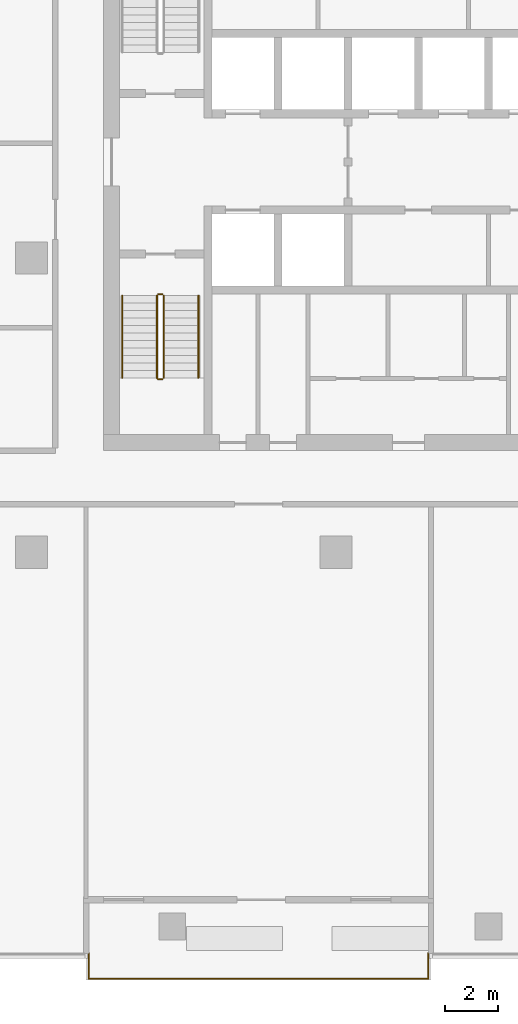
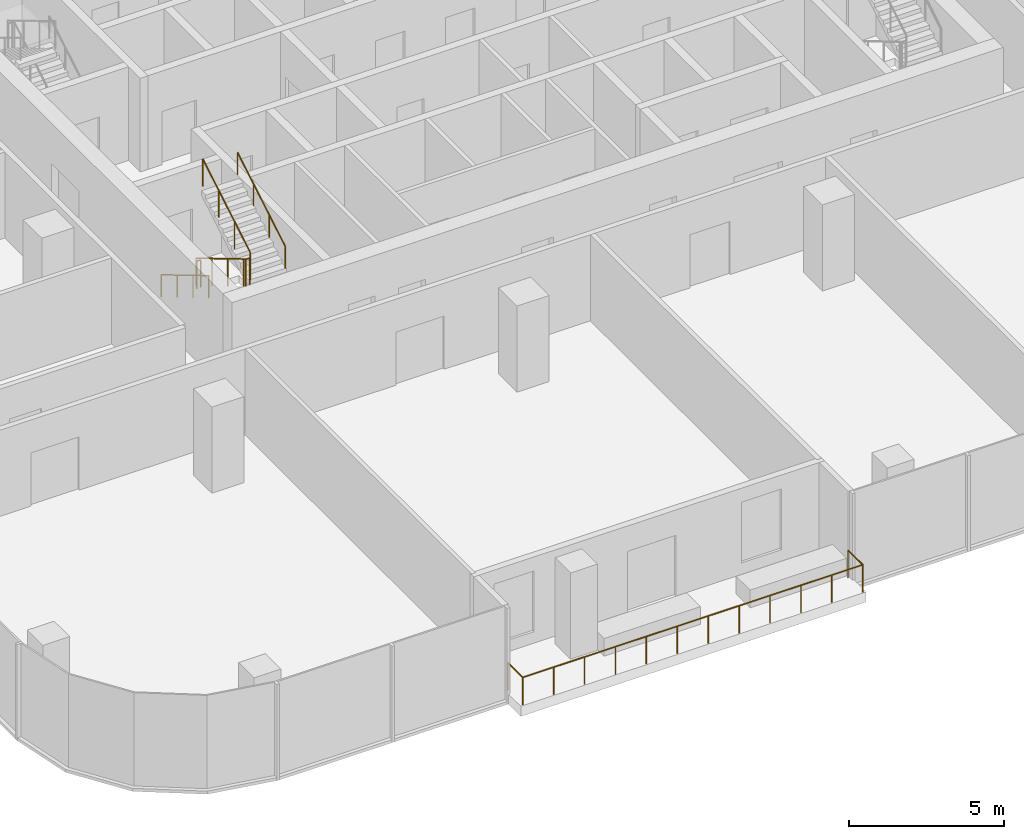
# One storey, part 11 of 13: 6 railings.
"""IFC4 building model written with IfcOpenShell, lengths in metres."""

import ifcopenshell
import ifcopenshell.guid

model = None  # the IFC model being written
_history = None  # IfcOwnerHistory: only IFC2X3 demands one
_inside = {}  # id of a spatial element -> (the spatial element, [elements in it])
_under = {}  # id of a project, library or spatial element -> (it, [spatial elements below it])
_declared = {}  # id of a project -> (the project, [libraries it declares])
_typed = {}  # id of a type object -> (the type object, [elements of that type])
_made_of = {}  # id of a material, layer set ... -> (it, [elements and type objects made of it])


def new_model(schema):
    """Start an empty IFC model of exactly this schema.

    Asked for "IFC4X3", IfcOpenShell would pick the latest addendum, in which some entities
    have other attributes; the version numbers below select the first issue.
    IFC2X3 requires an IfcOwnerHistory on every rooted entity: one is made here for all.
    """
    global model, _history
    if schema == "IFC4X3":
        model = ifcopenshell.file(schema_version=(4, 3, 0, 0))
    else:
        model = ifcopenshell.file(schema=schema)
    _inside.clear()
    _under.clear()
    _declared.clear()
    _typed.clear()
    _made_of.clear()
    _history = None
    if model.schema == "IFC2X3":
        org = make("IfcOrganization", Name="unknown")
        user = make(
            "IfcPersonAndOrganization",
            ThePerson=make("IfcPerson", FamilyName="unknown"),
            TheOrganization=org,
        )
        app = make(
            "IfcApplication",
            ApplicationDeveloper=org,
            Version="unknown",
            ApplicationFullName="unknown",
            ApplicationIdentifier="unknown",
        )
        _history = make(
            "IfcOwnerHistory",
            OwningUser=user,
            OwningApplication=app,
            ChangeAction="ADDED",
            CreationDate=0,
        )
    return model


def make(cls, **values):
    """One entity of the class cls with the attributes given. An attribute that is None is left unset."""
    return model.create_entity(
        cls, **{name: value for name, value in values.items() if value is not None}
    )


def rooted(cls, **values):
    """An entity with a GlobalId (a new one), such as an element, a storey or a relation."""
    return make(cls, GlobalId=ifcopenshell.guid.new(), OwnerHistory=_history, **values)


def si_unit(unit_type, name, prefix=None):
    """IfcSIUnit, for example si_unit("LENGTHUNIT", "METRE", prefix="MILLI")."""
    return make("IfcSIUnit", UnitType=unit_type, Prefix=prefix, Name=name)


def assignment(units):
    """IfcUnitAssignment: the units of a project."""
    return None if units is None else make("IfcUnitAssignment", Units=units)


def point(xyz):
    """IfcCartesianPoint."""
    return None if xyz is None else make("IfcCartesianPoint", Coordinates=xyz)


def direction(xyz):
    """IfcDirection."""
    return None if xyz is None else make("IfcDirection", DirectionRatios=xyz)


def frame(location, z_axis=None, x_axis=None):
    """IfcAxis2Placement3D, a coordinate frame: its origin and axes. An axis left out is left unset."""
    return make(
        "IfcAxis2Placement3D",
        Location=point(location),
        Axis=direction(z_axis),
        RefDirection=direction(x_axis),
    )


def frame_2d(location, x_axis=None):
    """IfcAxis2Placement2D, a coordinate frame in the plane: its origin and x axis."""
    return make(
        "IfcAxis2Placement2D", Location=point(location), RefDirection=direction(x_axis)
    )


def origin():
    """The frame at (0, 0, 0) with its axes left unset."""
    return frame((0.0, 0.0, 0.0))


def origin_2d():
    """The frame at (0, 0) in the plane with its x axis left unset."""
    return frame_2d((0.0, 0.0))


def place(relative_to, where):
    """IfcLocalPlacement: puts the frame where relative to a parent placement (None: the world)."""
    return make(
        "IfcLocalPlacement", PlacementRelTo=relative_to, RelativePlacement=where
    )


def context(
    kind, dimensions, precision=None, world=None, true_north=None, identifier=None
):
    """IfcGeometricRepresentationContext, for example the 3D "Model" context."""
    return make(
        "IfcGeometricRepresentationContext",
        ContextIdentifier=identifier,
        ContextType=kind,
        CoordinateSpaceDimension=dimensions,
        Precision=precision,
        WorldCoordinateSystem=world,
        TrueNorth=true_north,
    )


def subcontext(parent, identifier, kind, view, scale=None):
    """IfcGeometricRepresentationSubContext, for example "Body" below "Model"."""
    return make(
        "IfcGeometricRepresentationSubContext",
        ContextIdentifier=identifier,
        ContextType=kind,
        ParentContext=parent,
        TargetScale=scale,
        TargetView=view,
    )


def project(units=None, contexts=None):
    """IfcProject with its units and contexts."""
    return rooted(
        "IfcProject",
        Name="project",
        RepresentationContexts=contexts,
        UnitsInContext=assignment(units),
    )


def spatial(cls, under=None, at=None, **own):
    """A site, building, storey or space (cls), placed at a placement, below another one or the project."""
    s = rooted(cls, ObjectPlacement=at, **own)
    if under is not None:
        _under.setdefault(under.id(), (under, []))[1].append(s)
    return s


def profile(cls, at=None, kind="AREA", **sizes):
    """A parametric profile (cls). Its sizes go by their IFC names, for example OverallWidth=200.0."""
    return make(cls, ProfileType=kind, Position=at, **sizes)


def circle(**sizes):
    """IfcCircleProfileDef."""
    return profile("IfcCircleProfileDef", **sizes)


def extrude(swept, where, along, depth):
    """IfcExtrudedAreaSolid: the profile swept, set in the frame where, extruded along a direction by depth."""
    return make(
        "IfcExtrudedAreaSolid",
        SweptArea=swept,
        Position=where,
        ExtrudedDirection=direction(along),
        Depth=depth,
    )


def shape(context_of_items, identifier, shape_type, items):
    """IfcShapeRepresentation: the items that make up one representation, for example the "Body"."""
    return make(
        "IfcShapeRepresentation",
        ContextOfItems=context_of_items,
        RepresentationIdentifier=identifier,
        RepresentationType=shape_type,
        Items=items,
    )


def material(Name=None, Category=None):
    """IfcMaterial."""
    return make("IfcMaterial", Name=Name, Category=Category)


def made_of(thing, what):
    """Note that an element or type object is made of a material, layer set ...; save() writes the relation."""
    if what is not None:
        _made_of.setdefault(what.id(), (what, []))[1].append(thing)
    return thing


def type_object(cls, material=None, **own):
    """A type object (cls), such as IfcWallType, which elements share."""
    return made_of(rooted(cls, **own), material)


def element(
    cls,
    number,
    at=None,
    inside=None,
    cuts=None,
    type_object=None,
    material=None,
    context=None,
    identifier="Body",
    shape_type=None,
    held_by="IfcProductDefinitionShape",
    body=None,
    shapes=None,
    **own,
):
    """One element of the class cls, such as IfcWall. Its Tag is "e" and its number.

    at: its placement. inside: the storey or other place that contains it. cuts: it is an
    opening in that element (IfcRelVoidsElement). A single representation is given by context,
    identifier, shape_type and body (its items); several are given by shapes. held_by: the class
    of the entity that holds the representations. save() writes the other relations.
    """
    e = rooted(cls, Tag="e%d" % number, ObjectPlacement=at, **own)
    if body is not None:
        shapes = [shape(context, identifier, shape_type, body)]
    if shapes is not None:
        e.Representation = make(held_by, Representations=shapes)
    if inside is not None:
        _inside.setdefault(inside.id(), (inside, []))[1].append(e)
    if cuts is not None:
        rooted(
            "IfcRelVoidsElement", RelatingBuildingElement=cuts, RelatedOpeningElement=e
        )
    if type_object is not None:
        _typed.setdefault(type_object.id(), (type_object, []))[1].append(e)
    return made_of(e, material)


def aggregate(whole, parts):
    """IfcRelAggregates: a whole, such as a stair, and the parts it consists of."""
    return rooted("IfcRelAggregates", RelatingObject=whole, RelatedObjects=parts)


def save(model, path):
    """Write the relations noted so far, then the file.

    IfcRelAggregates (storeys below a building ...), IfcRelContainedInSpatialStructure (elements
    in a storey), IfcRelDefinesByType, IfcRelAssociatesMaterial and IfcRelDeclares: one each for
    every whole, place, type object, material and project.
    """
    for whole, parts in _under.values():
        aggregate(whole, parts)
    for where, things in _inside.values():
        rooted(
            "IfcRelContainedInSpatialStructure",
            RelatedElements=things,
            RelatingStructure=where,
        )
    for kind, things in _typed.values():
        rooted("IfcRelDefinesByType", RelatedObjects=things, RelatingType=kind)
    for what, things in _made_of.values():
        rooted("IfcRelAssociatesMaterial", RelatedObjects=things, RelatingMaterial=what)
    for by, libraries in _declared.values():
        rooted("IfcRelDeclares", RelatingContext=by, RelatedDefinitions=libraries)
    model.write(path)


model = new_model("IFC4")

# Units and contexts
model_context = context("Model", 3, precision=1e-05, world=origin(), true_north=direction((0.0, 1.0)))
body_context = subcontext(model_context, "Body", "Model", "MODEL_VIEW")
ifc_project = project(units=[si_unit("LENGTHUNIT", "METRE"), si_unit("AREAUNIT", "SQUARE_METRE"), si_unit("VOLUMEUNIT", "CUBIC_METRE"), si_unit("PLANEANGLEUNIT", "RADIAN"), si_unit("MASSUNIT", "GRAM", prefix="KILO")], contexts=[model_context])

# Site, building, storey
site_placement = place(None, origin())
site = spatial("IfcSite", under=ifc_project, at=site_placement, CompositionType="ELEMENT")
building_placement = place(site_placement, origin())
building = spatial("IfcBuilding", under=site, at=building_placement, Name="Mopane Tessera Tower", CompositionType="ELEMENT")
storey_placement = place(building_placement, frame((0.0, 0.0, 311.39990234375)))
storey = spatial("IfcBuildingStorey", under=building, at=storey_placement, Name="L68", CompositionType="ELEMENT", Elevation=311.39990234375)

# Railings
ifc_material_1 = material(Name="Powder-coated steel balustrade", Category="steel")
railing_type_1 = type_object("IfcRailingType", Name="Escape stair guard 1100 mm", PredefinedType="GUARDRAIL", material=ifc_material_1)
railing_1_placement = place(storey_placement, frame((-12.39990234375, -1.39990234375, 0.166748046875)))
element("IfcRailing", 1, at=railing_1_placement, inside=storey, type_object=railing_type_1, Name="L68 ST1 stair guard 1", PredefinedType="GUARDRAIL", context=body_context, shape_type="SweptSolid", body=[
    extrude(circle(Radius=0.02392578125, at=origin_2d()), frame((0.0, 0.0, 1.076171875), z_axis=(0.0, -0.859308565015, 0.511457515432), x_axis=(1.0, 0.0, 0.0)), (0.0, 0.0, 1.0), 3.58447265625),
    extrude(circle(Radius=0.02392578125, at=origin_2d()), frame((0.0, -3.080078125, 2.9091796875), z_axis=(0.705375805398, -0.708833529934, 0.0), x_axis=(0.708833529934, 0.705375805398, 0.0)), (0.0, 0.0, 1.0), 0.070556640625),
    extrude(circle(Radius=0.02392578125, at=origin_2d()), frame((0.0498046875, -3.130126953125, 2.9091796875), z_axis=(1.0, 0.0, 0.0), x_axis=(0.0, 1.0, 0.0)), (0.0, 0.0, 1.0), 0.150146484375),
    extrude(circle(Radius=0.02099609375, at=origin_2d()), origin(), (0.0, 0.0, 1.0), 1.052001953125),
    extrude(circle(Radius=0.02099609375, at=origin_2d()), frame((0.0, -1.026611328125, 0.611083984375)), (0.0, 0.0, 1.0), 1.052001953125),
    extrude(circle(Radius=0.02099609375, at=origin_2d()), frame((0.0, -2.053466796875, 1.22216796875)), (0.0, 0.0, 1.0), 1.052001953125),
    extrude(circle(Radius=0.02099609375, at=origin_2d()), frame((0.0, -3.080078125, 1.833251953125)), (0.0, 0.0, 1.0), 1.052001953125),
    extrude(circle(Radius=0.02099609375, at=origin_2d()), frame((0.0498046875, -3.130126953125, 1.833251953125)), (0.0, 0.0, 1.0), 1.052001953125),
    extrude(circle(Radius=0.02099609375, at=origin_2d()), frame((0.199951171875, -3.130126953125, 1.833251953125)), (0.0, 0.0, 1.0), 1.052001953125),
])
railing_2_placement = place(storey_placement, frame((-12.14990234375, -4.47998046875, 2.166748046875)))
element("IfcRailing", 2, at=railing_2_placement, inside=storey, type_object=railing_type_1, Name="L68 ST1 stair guard 2", PredefinedType="GUARDRAIL", context=body_context, shape_type="SweptSolid", body=[
    extrude(circle(Radius=0.02392578125, at=origin_2d()), frame((0.0, 0.0, 1.076171875), z_axis=(0.0, 0.859308565015, 0.511457515432), x_axis=(-1.0, 0.0, 0.0)), (0.0, 0.0, 1.0), 3.58447265625),
    extrude(circle(Radius=0.02099609375, at=origin_2d()), origin(), (0.0, 0.0, 1.0), 1.052001953125),
    extrude(circle(Radius=0.02099609375, at=origin_2d()), frame((0.0, 1.026611328125, 0.611083984375)), (0.0, 0.0, 1.0), 1.052001953125),
    extrude(circle(Radius=0.02099609375, at=origin_2d()), frame((0.0, 2.053466796875, 1.22216796875)), (0.0, 0.0, 1.0), 1.052001953125),
    extrude(circle(Radius=0.02099609375, at=origin_2d()), frame((0.0, 3.080078125, 1.833251953125)), (0.0, 0.0, 1.0), 1.052001953125),
])
railing_3_placement = place(storey_placement, frame((-12.35009765625, -1.35009765625, 0.0)))
element("IfcRailing", 3, at=railing_3_placement, inside=storey, type_object=railing_type_1, Name="L68 ST1 stair guard 3", PredefinedType="GUARDRAIL", context=body_context, shape_type="SweptSolid", body=[
    extrude(circle(Radius=0.02392578125, at=origin_2d()), frame((0.0, 0.0, 1.076171875), z_axis=(1.0, 0.0, 0.0), x_axis=(0.0, 1.0, 0.0)), (0.0, 0.0, 1.0), 0.150146484375),
    extrude(circle(Radius=0.02099609375, at=origin_2d()), origin(), (0.0, 0.0, 1.0), 1.052001953125),
    extrude(circle(Radius=0.02099609375, at=origin_2d()), frame((0.150146484375, 0.0, 0.0)), (0.0, 0.0, 1.0), 1.052001953125),
])
ifc_material_2 = material(Name="Powder-coated steel balustrade", Category="steel")
railing_type_2 = type_object("IfcRailingType", Name="Escape stair handrail 900 mm", PredefinedType="HANDRAIL", material=ifc_material_2)
railing_4_placement = place(storey_placement, frame((-13.699951171875, -1.39990234375, 0.166748046875)))
element("IfcRailing", 4, at=railing_4_placement, inside=storey, type_object=railing_type_2, Name="L68 ST1 stair handrail 1", PredefinedType="HANDRAIL", context=body_context, shape_type="SweptSolid", body=[
    extrude(circle(Radius=0.02392578125, at=origin_2d()), frame((0.0, 0.0, 0.8759765625), z_axis=(0.0, -0.859308565015, 0.511457515432), x_axis=(1.0, 0.0, 0.0)), (0.0, 0.0, 1.0), 3.58447265625),
    extrude(circle(Radius=0.02099609375, at=origin_2d()), origin(), (0.0, 0.0, 1.0), 0.851806640625),
    extrude(circle(Radius=0.02099609375, at=origin_2d()), frame((0.0, -1.026611328125, 0.611083984375)), (0.0, 0.0, 1.0), 0.851806640625),
    extrude(circle(Radius=0.02099609375, at=origin_2d()), frame((0.0, -2.053466796875, 1.22216796875)), (0.0, 0.0, 1.0), 0.851806640625),
    extrude(circle(Radius=0.02099609375, at=origin_2d()), frame((0.0, -3.080078125, 1.833251953125)), (0.0, 0.0, 1.0), 0.851806640625),
])
railing_5_placement = place(storey_placement, frame((-10.85009765625, -4.47998046875, 2.166748046875)))
element("IfcRailing", 5, at=railing_5_placement, inside=storey, type_object=railing_type_2, Name="L68 ST1 stair handrail 2", PredefinedType="HANDRAIL", context=body_context, shape_type="SweptSolid", body=[
    extrude(circle(Radius=0.02392578125, at=origin_2d()), frame((0.0, 0.0, 0.8759765625), z_axis=(0.0, 0.859308565015, 0.511457515432), x_axis=(-1.0, 0.0, 0.0)), (0.0, 0.0, 1.0), 3.58447265625),
    extrude(circle(Radius=0.02099609375, at=origin_2d()), origin(), (0.0, 0.0, 1.0), 0.851806640625),
    extrude(circle(Radius=0.02099609375, at=origin_2d()), frame((0.0, 1.026611328125, 0.611083984375)), (0.0, 0.0, 1.0), 0.851806640625),
    extrude(circle(Radius=0.02099609375, at=origin_2d()), frame((0.0, 2.053466796875, 1.22216796875)), (0.0, 0.0, 1.0), 0.851806640625),
    extrude(circle(Radius=0.02099609375, at=origin_2d()), frame((0.0, 3.080078125, 1.833251953125)), (0.0, 0.0, 1.0), 0.851806640625),
])
ifc_material_3 = material(Name="Stainless steel S316", Category="steel")
railing_type_3 = type_object("IfcRailingType", Name="Terrace guard 1100", PredefinedType="GUARDRAIL", material=ifc_material_3)
railing_6_placement = place(storey_placement, frame((-14.949951171875, -26.0, 0.0)))
element("IfcRailing", 6, at=railing_6_placement, inside=storey, type_object=railing_type_3, Name="e:nw:L68:N3:guard", PredefinedType="GUARDRAIL", context=body_context, shape_type="SweptSolid", body=[
    extrude(circle(Radius=0.02392578125, at=origin_2d()), frame((0.0, 0.0, 1.076171875), z_axis=(0.0, -1.0, 0.0), x_axis=(1.0, 0.0, 0.0)), (0.0, 0.0, 1.0), 0.949951171875),
    extrude(circle(Radius=0.02392578125, at=origin_2d()), frame((0.0, -0.949951171875, 1.076171875), z_axis=(1.0, 0.0, 0.0), x_axis=(0.0, 1.0, 0.0)), (0.0, 0.0, 1.0), 12.699951171875),
    extrude(circle(Radius=0.02392578125, at=origin_2d()), frame((12.699951171875, -0.949951171875, 1.076171875), z_axis=(0.0, 1.0, 0.0), x_axis=(-1.0, 0.0, 0.0)), (0.0, 0.0, 1.0), 0.949951171875),
    extrude(circle(Radius=0.02099609375, at=origin_2d()), origin(), (0.0, 0.0, 1.0), 1.052001953125),
    extrude(circle(Radius=0.02099609375, at=origin_2d()), frame((0.0, -0.949951171875, 0.0)), (0.0, 0.0, 1.0), 1.052001953125),
    extrude(circle(Radius=0.02099609375, at=origin_2d()), frame((1.154541015625, -0.949951171875, 0.0)), (0.0, 0.0, 1.0), 1.052001953125),
    extrude(circle(Radius=0.02099609375, at=origin_2d()), frame((2.30908203125, -0.949951171875, 0.0)), (0.0, 0.0, 1.0), 1.052001953125),
    extrude(circle(Radius=0.02099609375, at=origin_2d()), frame((3.463623046875, -0.949951171875, 0.0)), (0.0, 0.0, 1.0), 1.052001953125),
    extrude(circle(Radius=0.02099609375, at=origin_2d()), frame((4.6181640625, -0.949951171875, 0.0)), (0.0, 0.0, 1.0), 1.052001953125),
    extrude(circle(Radius=0.02099609375, at=origin_2d()), frame((5.772705078125, -0.949951171875, 0.0)), (0.0, 0.0, 1.0), 1.052001953125),
    extrude(circle(Radius=0.02099609375, at=origin_2d()), frame((6.92724609375, -0.949951171875, 0.0)), (0.0, 0.0, 1.0), 1.052001953125),
    extrude(circle(Radius=0.02099609375, at=origin_2d()), frame((8.081787109375, -0.949951171875, 0.0)), (0.0, 0.0, 1.0), 1.052001953125),
    extrude(circle(Radius=0.02099609375, at=origin_2d()), frame((9.236328125, -0.949951171875, 0.0)), (0.0, 0.0, 1.0), 1.052001953125),
    extrude(circle(Radius=0.02099609375, at=origin_2d()), frame((10.390869140625, -0.949951171875, 0.0)), (0.0, 0.0, 1.0), 1.052001953125),
    extrude(circle(Radius=0.02099609375, at=origin_2d()), frame((11.54541015625, -0.949951171875, 0.0)), (0.0, 0.0, 1.0), 1.052001953125),
    extrude(circle(Radius=0.02099609375, at=origin_2d()), frame((12.699951171875, -0.949951171875, 0.0)), (0.0, 0.0, 1.0), 1.052001953125),
    extrude(circle(Radius=0.02099609375, at=origin_2d()), frame((12.699951171875, 0.0, 0.0)), (0.0, 0.0, 1.0), 1.052001953125),
])

save(model, "model.ifc")
